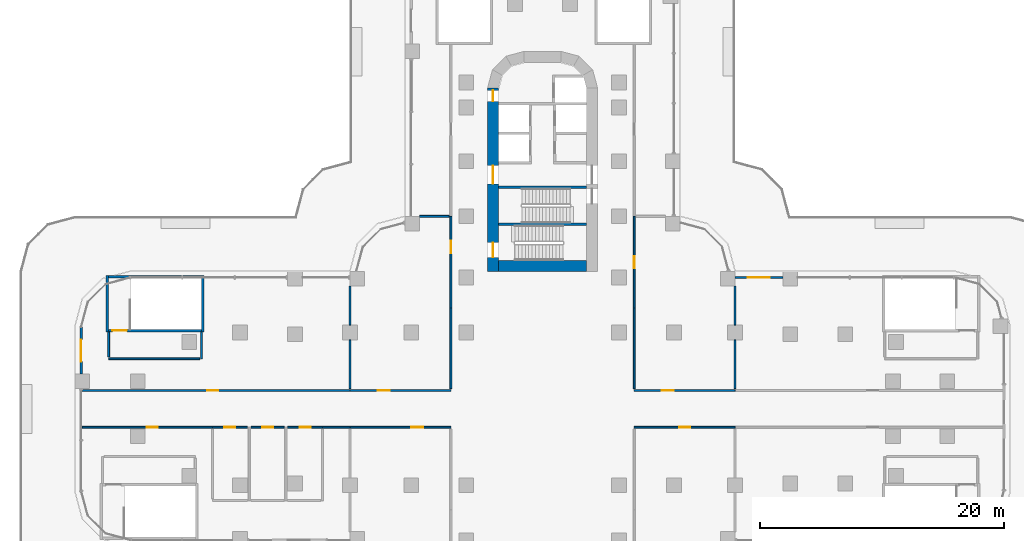
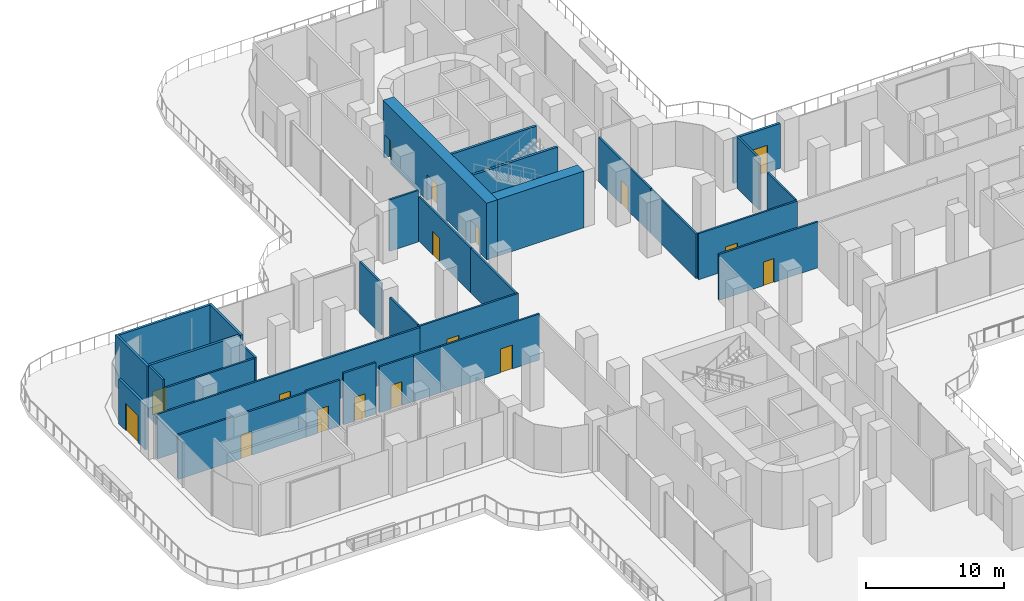
# One storey, part 15 of 21: 32 walls, 17 doors, 17 openings.
"""IFC4 building model written with IfcOpenShell, lengths in metres."""

from ifc_helpers import new_model, si_unit, direction, frame, frame_2d, origin, place, context, subcontext, project, spatial, rectangle, extrude, material, layer, layer_set, type_object, element, fill, save


model = new_model("IFC4")

# Units and contexts
model_context = context("Model", 3, precision=1e-05, world=origin(), true_north=direction((0.0, 1.0)))
body_context = subcontext(model_context, "Body", "Model", "MODEL_VIEW")
ifc_project = project(units=[si_unit("LENGTHUNIT", "METRE"), si_unit("AREAUNIT", "SQUARE_METRE"), si_unit("VOLUMEUNIT", "CUBIC_METRE"), si_unit("PLANEANGLEUNIT", "RADIAN"), si_unit("MASSUNIT", "GRAM", prefix="KILO")], contexts=[model_context])

# Site, building, storey
site_placement = place(None, origin())
site = spatial("IfcSite", under=ifc_project, at=site_placement, CompositionType="ELEMENT")
building_placement = place(site_placement, origin())
building = spatial("IfcBuilding", under=site, at=building_placement, Name="Zarbagh Exchange Tower", CompositionType="ELEMENT")
storey_placement = place(building_placement, frame((0.0, 0.0, 22.0)))
storey = spatial("IfcBuildingStorey", under=building, at=storey_placement, Name="L04", CompositionType="ELEMENT", Elevation=22.0)

# Walls
ifc_material_1 = material(Name="Plasterboard partition")
ifc_layer_1 = layer(ifc_material_1, 0.14990234375)
ifc_layer_set_1 = layer_set([ifc_layer_1], Name="Board partition 150")
wall_type_1 = type_object("IfcWallType", Name="Board partition 150", PredefinedType="PARTITIONING", material=ifc_layer_set_1)
wall_1_placement = place(storey_placement, frame((-27.89990234375, 6.300048828125, 0.0), z_axis=(0.0, 0.0, 1.0), x_axis=(0.0, -1.0, 0.0)))
element("IfcWall", 1, at=wall_1_placement, inside=storey, type_object=wall_type_1, Name="WL-L04-W009", PredefinedType="PARTITIONING", context=body_context, shape_type="SweptSolid", body=[
    extrude(rectangle(XDim=2.199951171875, YDim=0.14990234375, at=frame_2d((1.10009765625, 0.0))), origin(), (0.0, 0.0, 1.0), 3.929931640625),
])
wall_2_placement = place(storey_placement, frame((-28.050048828125, 4.10009765625, 0.0), z_axis=(0.0, 0.0, 1.0), x_axis=(-1.0, 0.0, 0.0)))
element("IfcWall", 2, at=wall_2_placement, inside=storey, type_object=wall_type_1, Name="WL-L04-W010", PredefinedType="PARTITIONING", context=body_context, shape_type="SweptSolid", body=[
    extrude(rectangle(XDim=7.449951171875, YDim=0.14990234375, at=frame_2d((3.72509765625, 0.0))), origin(), (0.0, 0.0, 1.0), 3.929931640625),
])
wall_3_placement = place(storey_placement, frame((-35.5, 4.25, 0.0), z_axis=(0.0, 0.0, 1.0), x_axis=(0.0, 1.0, 0.0)))
element("IfcWall", 3, at=wall_3_placement, inside=storey, type_object=wall_type_1, Name="WL-L04-W011", PredefinedType="PARTITIONING", context=body_context, shape_type="SweptSolid", body=[
    extrude(rectangle(XDim=2.050048828125, YDim=0.14990234375, at=frame_2d((1.02490234375, 0.0))), origin(), (0.0, 0.0, 1.0), 4.550048828125),
])

# Wall, opening, door
wall_4_placement = place(storey_placement, frame((-24.14990234375, -1.5, 0.0), z_axis=(0.0, 0.0, 1.0), x_axis=(-1.0, 0.0, 0.0)))
wall_4 = element("IfcWall", 4, at=wall_4_placement, inside=storey, type_object=wall_type_1, Name="WL-L04-W016", PredefinedType="PARTITIONING", context=body_context, shape_type="SweptSolid", body=[
    extrude(rectangle(XDim=2.85009765625, YDim=0.14990234375, at=frame_2d((1.425048828125, 0.0))), origin(), (0.0, 0.0, 1.0), 4.06298828125),
])
opening_1_placement = place(wall_4_placement, frame((0.97509765625, 0.0, 0.0)))
opening_1 = element("IfcOpeningElement", 5, at=opening_1_placement, cuts=wall_4, Name="Opening D28", PredefinedType="OPENING", context=body_context, shape_type="SweptSolid", body=[
    extrude(rectangle(XDim=0.89990234375, YDim=2.10009765625, at=frame_2d((0.449951171875, 1.050048828125))), frame((0.0, 0.0849609375, 0.0), z_axis=(0.0, -1.0, 0.0), x_axis=(1.0, 0.0, 0.0)), (0.0, 0.0, 1.0), 0.169921875),
])
ifc_material_2 = material(Name="Timber door leaf", Category="wood")
door_type_1 = type_object("IfcDoorType", Name="Door single 900x2100", OperationType="SINGLE_SWING_LEFT", PredefinedType="DOOR", material=ifc_material_2)
door_1_placement = place(opening_1_placement, origin())
door_1 = element("IfcDoor", 6, at=door_1_placement, inside=storey, type_object=door_type_1, Name="D01", OperationType="SINGLE_SWING_LEFT", OverallHeight=2.10009765625, OverallWidth=0.89990234375, PredefinedType="DOOR", context=body_context, shape_type="SweptSolid", body=[
    extrude(rectangle(XDim=0.89990234375, YDim=2.10009765625, at=frame_2d((0.449951171875, 1.050048828125))), frame((0.0, 0.02490234375, 0.0), z_axis=(0.0, -1.0, 0.0), x_axis=(1.0, 0.0, 0.0)), (0.0, 0.0, 1.0), 0.050048828125),
])
fill(opening_1, door_1)

wall_5_placement = place(storey_placement, frame((-21.14990234375, -1.5, 0.0), z_axis=(0.0, 0.0, 1.0), x_axis=(-1.0, 0.0, 0.0)))
wall_5 = element("IfcWall", 7, at=wall_5_placement, inside=storey, type_object=wall_type_1, Name="WL-L04-W020", PredefinedType="PARTITIONING", context=body_context, shape_type="SweptSolid", body=[
    extrude(rectangle(XDim=2.7001953125, YDim=0.14990234375, at=frame_2d((1.35009765625, 0.0))), origin(), (0.0, 0.0, 1.0), 4.550048828125),
])
opening_2_placement = place(wall_5_placement, frame((0.89990234375, 0.0, 0.0)))
opening_2 = element("IfcOpeningElement", 8, at=opening_2_placement, cuts=wall_5, Name="Opening D32", PredefinedType="OPENING", context=body_context, shape_type="SweptSolid", body=[
    extrude(rectangle(XDim=0.89990234375, YDim=2.10009765625, at=frame_2d((0.449951171875, 1.050048828125))), frame((0.0, 0.0849609375, 0.0), z_axis=(0.0, -1.0, 0.0), x_axis=(1.0, 0.0, 0.0)), (0.0, 0.0, 1.0), 0.169921875),
])
door_2_placement = place(opening_2_placement, origin())
door_2 = element("IfcDoor", 9, at=door_2_placement, inside=storey, type_object=door_type_1, Name="D02", OperationType="SINGLE_SWING_LEFT", OverallHeight=2.10009765625, OverallWidth=0.89990234375, PredefinedType="DOOR", context=body_context, shape_type="SweptSolid", body=[
    extrude(rectangle(XDim=0.89990234375, YDim=2.10009765625, at=frame_2d((0.449951171875, 1.050048828125))), frame((0.0, 0.02490234375, 0.0), z_axis=(0.0, -1.0, 0.0), x_axis=(1.0, 0.0, 0.0)), (0.0, 0.0, 1.0), 0.050048828125),
])
fill(opening_2, door_2)

wall_6_placement = place(storey_placement, frame((-18.0, -1.5, 0.0), z_axis=(0.0, 0.0, 1.0), x_axis=(-1.0, 0.0, 0.0)))
wall_6 = element("IfcWall", 10, at=wall_6_placement, inside=storey, type_object=wall_type_1, Name="WL-L04-W022", PredefinedType="PARTITIONING", context=body_context, shape_type="SweptSolid", body=[
    extrude(rectangle(XDim=2.85009765625, YDim=0.14990234375, at=frame_2d((1.425048828125, 0.0))), origin(), (0.0, 0.0, 1.0), 4.06298828125),
])
opening_3_placement = place(wall_6_placement, frame((0.97509765625, 0.0, 0.0)))
opening_3 = element("IfcOpeningElement", 11, at=opening_3_placement, cuts=wall_6, Name="Opening D34", PredefinedType="OPENING", context=body_context, shape_type="SweptSolid", body=[
    extrude(rectangle(XDim=0.89990234375, YDim=2.10009765625, at=frame_2d((0.449951171875, 1.050048828125))), frame((0.0, 0.0849609375, 0.0), z_axis=(0.0, -1.0, 0.0), x_axis=(1.0, 0.0, 0.0)), (0.0, 0.0, 1.0), 0.169921875),
])
door_3_placement = place(opening_3_placement, origin())
door_3 = element("IfcDoor", 12, at=door_3_placement, inside=storey, type_object=door_type_1, Name="D03", OperationType="SINGLE_SWING_LEFT", OverallHeight=2.10009765625, OverallWidth=0.89990234375, PredefinedType="DOOR", context=body_context, shape_type="SweptSolid", body=[
    extrude(rectangle(XDim=0.89990234375, YDim=2.10009765625, at=frame_2d((0.449951171875, 1.050048828125))), frame((0.0, 0.02490234375, 0.0), z_axis=(0.0, -1.0, 0.0), x_axis=(1.0, 0.0, 0.0)), (0.0, 0.0, 1.0), 0.050048828125),
])
fill(opening_3, door_3)

wall_7_placement = place(storey_placement, frame((7.5, 15.75, 0.0), z_axis=(0.0, 0.0, 1.0), x_axis=(0.0, -1.0, 0.0)))
wall_7 = element("IfcWall", 13, at=wall_7_placement, inside=storey, type_object=wall_type_1, Name="WL-L04-W025", PredefinedType="PARTITIONING", context=body_context, shape_type="SweptSolid", body=[
    extrude(rectangle(XDim=7.5, YDim=0.14990234375, at=frame_2d((3.75, 0.0))), origin(), (0.0, 0.0, 1.0), 3.929931640625),
])
opening_4_placement = place(wall_7_placement, frame((3.25, 0.0, 0.0)))
opening_4 = element("IfcOpeningElement", 14, at=opening_4_placement, cuts=wall_7, Name="Opening D38", PredefinedType="OPENING", context=body_context, shape_type="SweptSolid", body=[
    extrude(rectangle(XDim=1.0, YDim=2.10009765625, at=frame_2d((0.5, 1.050048828125))), frame((0.0, 0.0849609375, 0.0), z_axis=(0.0, -1.0, 0.0), x_axis=(1.0, 0.0, 0.0)), (0.0, 0.0, 1.0), 0.169921875),
])
door_type_2 = type_object("IfcDoorType", Name="Door single 1000x2100", OperationType="SINGLE_SWING_LEFT", PredefinedType="DOOR", material=ifc_material_2)
door_4_placement = place(opening_4_placement, origin())
door_4 = element("IfcDoor", 15, at=door_4_placement, inside=storey, type_object=door_type_2, Name="D04", OperationType="SINGLE_SWING_LEFT", OverallHeight=2.10009765625, OverallWidth=1.0, PredefinedType="DOOR", context=body_context, shape_type="SweptSolid", body=[
    extrude(rectangle(XDim=1.0, YDim=2.10009765625, at=frame_2d((0.5, 1.050048828125))), frame((0.0, 0.02490234375, 0.0), z_axis=(0.0, -1.0, 0.0), x_axis=(1.0, 0.0, 0.0)), (0.0, 0.0, 1.0), 0.050048828125),
])
fill(opening_4, door_4)

wall_8_placement = place(storey_placement, frame((-7.5, 8.25, 0.0), z_axis=(0.0, 0.0, 1.0), x_axis=(0.0, 1.0, 0.0)))
wall_8 = element("IfcWall", 16, at=wall_8_placement, inside=storey, type_object=wall_type_1, Name="WL-L04-W027", PredefinedType="PARTITIONING", context=body_context, shape_type="SweptSolid", body=[
    extrude(rectangle(XDim=7.5, YDim=0.14990234375, at=frame_2d((3.75, 0.0))), origin(), (0.0, 0.0, 1.0), 3.929931640625),
])
opening_5_placement = place(wall_8_placement, frame((4.5, 0.0, 0.0)))
opening_5 = element("IfcOpeningElement", 17, at=opening_5_placement, cuts=wall_8, Name="Opening D43", PredefinedType="OPENING", context=body_context, shape_type="SweptSolid", body=[
    extrude(rectangle(XDim=1.0, YDim=2.10009765625, at=frame_2d((0.5, 1.050048828125))), frame((0.0, 0.0849609375, 0.0), z_axis=(0.0, -1.0, 0.0), x_axis=(1.0, 0.0, 0.0)), (0.0, 0.0, 1.0), 0.169921875),
])
door_5_placement = place(opening_5_placement, origin())
door_5 = element("IfcDoor", 18, at=door_5_placement, inside=storey, type_object=door_type_2, Name="D06", OperationType="SINGLE_SWING_LEFT", OverallHeight=2.10009765625, OverallWidth=1.0, PredefinedType="DOOR", context=body_context, shape_type="SweptSolid", body=[
    extrude(rectangle(XDim=1.0, YDim=2.10009765625, at=frame_2d((0.5, 1.050048828125))), frame((0.0, 0.02490234375, 0.0), z_axis=(0.0, -1.0, 0.0), x_axis=(1.0, 0.0, 0.0)), (0.0, 0.0, 1.0), 0.050048828125),
])
fill(opening_5, door_5)

wall_9_placement = place(storey_placement, frame((7.5, 1.5, 0.0), z_axis=(0.0, 0.0, 1.0), x_axis=(1.0, 0.0, 0.0)))
wall_9 = element("IfcWall", 19, at=wall_9_placement, inside=storey, type_object=wall_type_1, Name="WL-L04-W033", PredefinedType="PARTITIONING", context=body_context, shape_type="SweptSolid", body=[
    extrude(rectangle(XDim=8.25, YDim=0.14990234375, at=frame_2d((4.125, 0.0))), origin(), (0.0, 0.0, 1.0), 4.06298828125),
])
opening_6_placement = place(wall_9_placement, frame((2.25, 0.0, 0.0)))
opening_6 = element("IfcOpeningElement", 20, at=opening_6_placement, cuts=wall_9, Name="Opening D55", PredefinedType="OPENING", context=body_context, shape_type="SweptSolid", body=[
    extrude(rectangle(XDim=1.0, YDim=2.10009765625, at=frame_2d((0.5, 1.050048828125))), frame((0.0, 0.0849609375, 0.0), z_axis=(0.0, -1.0, 0.0), x_axis=(1.0, 0.0, 0.0)), (0.0, 0.0, 1.0), 0.169921875),
])
door_6_placement = place(opening_6_placement, origin())
door_6 = element("IfcDoor", 21, at=door_6_placement, inside=storey, type_object=door_type_2, Name="D11", OperationType="SINGLE_SWING_LEFT", OverallHeight=2.10009765625, OverallWidth=1.0, PredefinedType="DOOR", context=body_context, shape_type="SweptSolid", body=[
    extrude(rectangle(XDim=1.0, YDim=2.10009765625, at=frame_2d((0.5, 1.050048828125))), frame((0.0, 0.02490234375, 0.0), z_axis=(0.0, -1.0, 0.0), x_axis=(1.0, 0.0, 0.0)), (0.0, 0.0, 1.0), 0.050048828125),
])
fill(opening_6, door_6)

wall_10_placement = place(storey_placement, frame((15.75, -1.5, 0.0), z_axis=(0.0, 0.0, 1.0), x_axis=(-1.0, 0.0, 0.0)))
wall_10 = element("IfcWall", 22, at=wall_10_placement, inside=storey, type_object=wall_type_1, Name="WL-L04-W035", PredefinedType="PARTITIONING", context=body_context, shape_type="SweptSolid", body=[
    extrude(rectangle(XDim=8.25, YDim=0.14990234375, at=frame_2d((4.125, 0.0))), origin(), (0.0, 0.0, 1.0), 4.06298828125),
])
opening_7_placement = place(wall_10_placement, frame((3.675048828125, 0.0, 0.0)))
opening_7 = element("IfcOpeningElement", 23, at=opening_7_placement, cuts=wall_10, Name="Opening D13", PredefinedType="OPENING", context=body_context, shape_type="SweptSolid", body=[
    extrude(rectangle(XDim=0.89990234375, YDim=2.10009765625, at=frame_2d((0.449951171875, 1.050048828125))), frame((0.0, 0.0849609375, 0.0), z_axis=(0.0, -1.0, 0.0), x_axis=(1.0, 0.0, 0.0)), (0.0, 0.0, 1.0), 0.169921875),
])
door_7_placement = place(opening_7_placement, origin())
door_7 = element("IfcDoor", 24, at=door_7_placement, inside=storey, type_object=door_type_1, Name="D13", OperationType="SINGLE_SWING_LEFT", OverallHeight=2.10009765625, OverallWidth=0.89990234375, PredefinedType="DOOR", context=body_context, shape_type="SweptSolid", body=[
    extrude(rectangle(XDim=0.89990234375, YDim=2.10009765625, at=frame_2d((0.449951171875, 1.050048828125))), frame((0.0, 0.02490234375, 0.0), z_axis=(0.0, -1.0, 0.0), x_axis=(1.0, 0.0, 0.0)), (0.0, 0.0, 1.0), 0.050048828125),
])
fill(opening_7, door_7)

wall_11_placement = place(storey_placement, frame((-15.75, 1.5, 0.0), z_axis=(0.0, 0.0, 1.0), x_axis=(1.0, 0.0, 0.0)))
wall_11 = element("IfcWall", 25, at=wall_11_placement, inside=storey, type_object=wall_type_1, Name="WL-L04-W037", PredefinedType="PARTITIONING", context=body_context, shape_type="SweptSolid", body=[
    extrude(rectangle(XDim=8.25, YDim=0.14990234375, at=frame_2d((4.125, 0.0))), origin(), (0.0, 0.0, 1.0), 4.06298828125),
])
opening_8_placement = place(wall_11_placement, frame((2.25, 0.0, 0.0)))
opening_8 = element("IfcOpeningElement", 26, at=opening_8_placement, cuts=wall_11, Name="Opening D60", PredefinedType="OPENING", context=body_context, shape_type="SweptSolid", body=[
    extrude(rectangle(XDim=1.0, YDim=2.10009765625, at=frame_2d((0.5, 1.050048828125))), frame((0.0, 0.0849609375, 0.0), z_axis=(0.0, -1.0, 0.0), x_axis=(1.0, 0.0, 0.0)), (0.0, 0.0, 1.0), 0.169921875),
])
door_8_placement = place(opening_8_placement, origin())
door_8 = element("IfcDoor", 27, at=door_8_placement, inside=storey, type_object=door_type_2, Name="D15", OperationType="SINGLE_SWING_LEFT", OverallHeight=2.10009765625, OverallWidth=1.0, PredefinedType="DOOR", context=body_context, shape_type="SweptSolid", body=[
    extrude(rectangle(XDim=1.0, YDim=2.10009765625, at=frame_2d((0.5, 1.050048828125))), frame((0.0, 0.02490234375, 0.0), z_axis=(0.0, -1.0, 0.0), x_axis=(1.0, 0.0, 0.0)), (0.0, 0.0, 1.0), 0.050048828125),
])
fill(opening_8, door_8)

wall_12_placement = place(storey_placement, frame((-37.64990234375, 1.5, 0.0), z_axis=(0.0, 0.0, 1.0), x_axis=(1.0, 0.0, 0.0)))
wall_12 = element("IfcWall", 28, at=wall_12_placement, inside=storey, type_object=wall_type_1, Name="WL-L04-W038", PredefinedType="PARTITIONING", context=body_context, shape_type="SweptSolid", body=[
    extrude(rectangle(XDim=21.89990234375, YDim=0.14990234375, at=frame_2d((10.949951171875, 0.0))), origin(), (0.0, 0.0, 1.0), 3.929931640625),
])
opening_9_placement = place(wall_12_placement, frame((10.199951171875, 0.0, 0.0)))
opening_9 = element("IfcOpeningElement", 29, at=opening_9_placement, cuts=wall_12, Name="Opening D16", PredefinedType="OPENING", context=body_context, shape_type="SweptSolid", body=[
    extrude(rectangle(XDim=0.89990234375, YDim=2.10009765625, at=frame_2d((0.449951171875, 1.050048828125))), frame((0.0, 0.0849609375, 0.0), z_axis=(0.0, -1.0, 0.0), x_axis=(1.0, 0.0, 0.0)), (0.0, 0.0, 1.0), 0.169921875),
])
door_9_placement = place(opening_9_placement, origin())
door_9 = element("IfcDoor", 30, at=door_9_placement, inside=storey, type_object=door_type_1, Name="D16", OperationType="SINGLE_SWING_LEFT", OverallHeight=2.10009765625, OverallWidth=0.89990234375, PredefinedType="DOOR", context=body_context, shape_type="SweptSolid", body=[
    extrude(rectangle(XDim=0.89990234375, YDim=2.10009765625, at=frame_2d((0.449951171875, 1.050048828125))), frame((0.0, 0.02490234375, 0.0), z_axis=(0.0, -1.0, 0.0), x_axis=(1.0, 0.0, 0.0)), (0.0, 0.0, 1.0), 0.050048828125),
])
fill(opening_9, door_9)

wall_13_placement = place(storey_placement, frame((-7.5, -1.5, 0.0), z_axis=(0.0, 0.0, 1.0), x_axis=(-1.0, 0.0, 0.0)))
wall_13 = element("IfcWall", 31, at=wall_13_placement, inside=storey, type_object=wall_type_1, Name="WL-L04-W039", PredefinedType="PARTITIONING", context=body_context, shape_type="SweptSolid", body=[
    extrude(rectangle(XDim=8.25, YDim=0.14990234375, at=frame_2d((4.125, 0.0))), origin(), (0.0, 0.0, 1.0), 4.06298828125),
])
opening_10_placement = place(wall_13_placement, frame((2.25, 0.0, 0.0)))
opening_10 = element("IfcOpeningElement", 32, at=opening_10_placement, cuts=wall_13, Name="Opening D62", PredefinedType="OPENING", context=body_context, shape_type="SweptSolid", body=[
    extrude(rectangle(XDim=1.0, YDim=2.10009765625, at=frame_2d((0.5, 1.050048828125))), frame((0.0, 0.0849609375, 0.0), z_axis=(0.0, -1.0, 0.0), x_axis=(1.0, 0.0, 0.0)), (0.0, 0.0, 1.0), 0.169921875),
])
door_10_placement = place(opening_10_placement, origin())
door_10 = element("IfcDoor", 33, at=door_10_placement, inside=storey, type_object=door_type_2, Name="D17", OperationType="SINGLE_SWING_LEFT", OverallHeight=2.10009765625, OverallWidth=1.0, PredefinedType="DOOR", context=body_context, shape_type="SweptSolid", body=[
    extrude(rectangle(XDim=1.0, YDim=2.10009765625, at=frame_2d((0.5, 1.050048828125))), frame((0.0, 0.02490234375, 0.0), z_axis=(0.0, -1.0, 0.0), x_axis=(1.0, 0.0, 0.0)), (0.0, 0.0, 1.0), 0.050048828125),
])
fill(opening_10, door_10)

wall_14_placement = place(storey_placement, frame((-27.0, -1.5, 0.0), z_axis=(0.0, 0.0, 1.0), x_axis=(-1.0, 0.0, 0.0)))
wall_14 = element("IfcWall", 34, at=wall_14_placement, inside=storey, type_object=wall_type_1, Name="WL-L04-W040", PredefinedType="PARTITIONING", context=body_context, shape_type="SweptSolid", body=[
    extrude(rectangle(XDim=10.64990234375, YDim=0.14990234375, at=frame_2d((5.324951171875, 0.0))), origin(), (0.0, 0.0, 1.0), 3.929931640625),
])
opening_11_placement = place(wall_14_placement, frame((4.5, 0.0, 0.0)))
opening_11 = element("IfcOpeningElement", 35, at=opening_11_placement, cuts=wall_14, Name="Opening D18", PredefinedType="OPENING", context=body_context, shape_type="SweptSolid", body=[
    extrude(rectangle(XDim=0.89990234375, YDim=2.10009765625, at=frame_2d((0.449951171875, 1.050048828125))), frame((0.0, 0.0849609375, 0.0), z_axis=(0.0, -1.0, 0.0), x_axis=(1.0, 0.0, 0.0)), (0.0, 0.0, 1.0), 0.169921875),
])
door_11_placement = place(opening_11_placement, origin())
door_11 = element("IfcDoor", 36, at=door_11_placement, inside=storey, type_object=door_type_1, Name="D18", OperationType="SINGLE_SWING_LEFT", OverallHeight=2.10009765625, OverallWidth=0.89990234375, PredefinedType="DOOR", context=body_context, shape_type="SweptSolid", body=[
    extrude(rectangle(XDim=0.89990234375, YDim=2.10009765625, at=frame_2d((0.449951171875, 1.050048828125))), frame((0.0, 0.02490234375, 0.0), z_axis=(0.0, -1.0, 0.0), x_axis=(1.0, 0.0, 0.0)), (0.0, 0.0, 1.0), 0.050048828125),
])
fill(opening_11, door_11)

# Walls
wall_15_placement = place(storey_placement, frame((-15.75, -1.5, 0.0), z_axis=(0.0, 0.0, 1.0), x_axis=(-1.0, 0.0, 0.0)))
element("IfcWall", 37, at=wall_15_placement, inside=storey, type_object=wall_type_1, Name="WL-L04-W041", PredefinedType="PARTITIONING", context=body_context, shape_type="SweptSolid", body=[
    extrude(rectangle(XDim=2.25, YDim=0.14990234375, at=frame_2d((1.125, 0.0))), origin(), (0.0, 0.0, 1.0), 4.06298828125),
])
wall_16_placement = place(storey_placement, frame((15.75, 10.050048828125, 0.0), z_axis=(0.0, 0.0, 1.0), x_axis=(0.0, -1.0, 0.0)))
element("IfcWall", 38, at=wall_16_placement, inside=storey, type_object=wall_type_1, Name="WL-L04-W044", PredefinedType="PARTITIONING", context=body_context, shape_type="SweptSolid", body=[
    extrude(rectangle(XDim=3.199951171875, YDim=0.14990234375, at=frame_2d((1.60009765625, 0.0))), origin(), (0.0, 0.0, 1.0), 4.550048828125),
])
wall_17_placement = place(storey_placement, frame((15.75, 5.64990234375, 0.0), z_axis=(0.0, 0.0, 1.0), x_axis=(0.0, -1.0, 0.0)))
element("IfcWall", 39, at=wall_17_placement, inside=storey, type_object=wall_type_1, Name="WL-L04-W045", PredefinedType="PARTITIONING", context=body_context, shape_type="SweptSolid", body=[
    extrude(rectangle(XDim=4.0, YDim=0.14990234375, at=frame_2d((2.0, 0.0))), origin(), (0.0, 0.0, 1.0), 4.06298828125),
])
wall_18_placement = place(storey_placement, frame((7.5, 1.64990234375, 0.0), z_axis=(0.0, 0.0, 1.0), x_axis=(0.0, 1.0, 0.0)))
element("IfcWall", 40, at=wall_18_placement, inside=storey, type_object=wall_type_1, Name="WL-L04-W047", PredefinedType="PARTITIONING", context=body_context, shape_type="SweptSolid", body=[
    extrude(rectangle(XDim=6.60009765625, YDim=0.14990234375, at=frame_2d((3.300048828125, 0.0))), origin(), (0.0, 0.0, 1.0), 3.91064453125),
])
wall_19_placement = place(storey_placement, frame((-15.75, 1.64990234375, 0.0), z_axis=(0.0, 0.0, 1.0), x_axis=(0.0, 1.0, 0.0)))
element("IfcWall", 41, at=wall_19_placement, inside=storey, type_object=wall_type_1, Name="WL-L04-W048", PredefinedType="PARTITIONING", context=body_context, shape_type="SweptSolid", body=[
    extrude(rectangle(XDim=4.0, YDim=0.14990234375, at=frame_2d((2.0, 0.0))), origin(), (0.0, 0.0, 1.0), 4.06298828125),
])
wall_20_placement = place(storey_placement, frame((-15.75, 6.85009765625, 0.0), z_axis=(0.0, 0.0, 1.0), x_axis=(0.0, 1.0, 0.0)))
element("IfcWall", 42, at=wall_20_placement, inside=storey, type_object=wall_type_1, Name="WL-L04-W049", PredefinedType="PARTITIONING", context=body_context, shape_type="SweptSolid", body=[
    extrude(rectangle(XDim=3.199951171875, YDim=0.14990234375, at=frame_2d((1.60009765625, 0.0))), origin(), (0.0, 0.0, 1.0), 4.550048828125),
])
wall_21_placement = place(storey_placement, frame((-10.050048828125, 15.75, 0.0), z_axis=(0.0, 0.0, 1.0), x_axis=(1.0, 0.0, 0.0)))
element("IfcWall", 43, at=wall_21_placement, inside=storey, type_object=wall_type_1, Name="WL-L04-W050", PredefinedType="PARTITIONING", context=body_context, shape_type="SweptSolid", body=[
    extrude(rectangle(XDim=2.400146484375, YDim=0.14990234375, at=frame_2d((1.2001953125, 0.0))), origin(), (0.0, 0.0, 1.0), 4.550048828125),
])
wall_22_placement = place(storey_placement, frame((-7.5, 8.25, 0.0), z_axis=(0.0, 0.0, 1.0), x_axis=(0.0, -1.0, 0.0)))
element("IfcWall", 44, at=wall_22_placement, inside=storey, type_object=wall_type_1, Name="WL-L04-W051", PredefinedType="PARTITIONING", context=body_context, shape_type="SweptSolid", body=[
    extrude(rectangle(XDim=6.60009765625, YDim=0.14990234375, at=frame_2d((3.300048828125, 0.0))), origin(), (0.0, 0.0, 1.0), 3.91064453125),
])

# Wall, openings, doors
ifc_material_3 = material(Name="Concrete C60/75", Category="concrete")
ifc_layer_2 = layer(ifc_material_3, 0.89990234375)
ifc_layer_set_2 = layer_set([ifc_layer_2], Name="RC core wall 900 C60/75")
wall_type_2 = type_object("IfcWallType", Name="RC core wall 900 C60/75", PredefinedType="SHEAR", material=ifc_layer_set_2)
wall_23_placement = place(storey_placement, frame((-4.050048828125, 11.25, 0.0), z_axis=(0.0, 0.0, 1.0), x_axis=(0.0, 1.0, 0.0)))
wall_23 = element("IfcWall", 45, at=wall_23_placement, inside=storey, type_object=wall_type_2, Name="CW1 core N W", PredefinedType="SHEAR", context=body_context, shape_type="SweptSolid", body=[
    extrude(rectangle(XDim=15.0, YDim=0.89990234375, at=frame_2d((7.5, 0.0))), origin(), (0.0, 0.0, 1.0), 5.0),
])
opening_12_placement = place(wall_23_placement, frame((7.14990234375, 0.0, 0.0)))
opening_12 = element("IfcOpeningElement", 46, at=opening_12_placement, cuts=wall_23, Name="Opening CD1-1500", PredefinedType="OPENING", context=body_context, shape_type="SweptSolid", body=[
    extrude(rectangle(XDim=1.5, YDim=2.300048828125, at=frame_2d((0.75, 1.14990234375))), frame((0.0, 0.4599609375, 0.0), z_axis=(0.0, -1.0, 0.0), x_axis=(1.0, 0.0, 0.0)), (0.0, 0.0, 1.0), 0.919921875),
])
opening_13_placement = place(wall_23_placement, frame((13.89990234375, 0.0, 0.0)))
opening_13 = element("IfcOpeningElement", 47, at=opening_13_placement, cuts=wall_23, Name="Opening CD2-900", PredefinedType="OPENING", context=body_context, shape_type="SweptSolid", body=[
    extrude(rectangle(XDim=0.89990234375, YDim=2.10009765625, at=frame_2d((0.449951171875, 1.050048828125))), frame((0.0, 0.4599609375, 0.0), z_axis=(0.0, -1.0, 0.0), x_axis=(1.0, 0.0, 0.0)), (0.0, 0.0, 1.0), 0.919921875),
])
opening_14_placement = place(wall_23_placement, frame((1.14990234375, 0.0, 0.0)))
opening_14 = element("IfcOpeningElement", 48, at=opening_14_placement, cuts=wall_23, Name="Opening SD1-1200", PredefinedType="OPENING", context=body_context, shape_type="SweptSolid", body=[
    extrude(rectangle(XDim=1.199951171875, YDim=2.10009765625, at=frame_2d((0.60009765625, 1.050048828125))), frame((0.0, 0.4599609375, 0.0), z_axis=(0.0, -1.0, 0.0), x_axis=(1.0, 0.0, 0.0)), (0.0, 0.0, 1.0), 0.919921875),
])
ifc_material_4 = material(Name="Steel", Category="steel")
door_type_3 = type_object("IfcDoorType", Name="Exit stair door 1200 x 2100", OperationType="NOTDEFINED", PredefinedType="DOOR", material=ifc_material_4)
door_12_placement = place(opening_14_placement, origin())
door_12 = element("IfcDoor", 49, at=door_12_placement, inside=storey, type_object=door_type_3, Name="North core stair door ST2", OperationType="SINGLE_SWING_RIGHT", OverallHeight=2.10009765625, OverallWidth=1.199951171875, PredefinedType="DOOR", context=body_context, shape_type="SweptSolid", body=[
    extrude(rectangle(XDim=1.199951171875, YDim=2.10009765625, at=frame_2d((0.60009765625, 1.050048828125))), frame((0.0, 0.02490234375, 0.0), z_axis=(0.0, -1.0, 0.0), x_axis=(1.0, 0.0, 0.0)), (0.0, 0.0, 1.0), 0.050048828125),
])
fill(opening_14, door_12)
door_type_4 = type_object("IfcDoorType", Name="Firefighting lobby door 900 x 2100", OperationType="NOTDEFINED", PredefinedType="DOOR", material=ifc_material_4)
door_13_placement = place(opening_13_placement, origin())
door_13 = element("IfcDoor", 50, at=door_13_placement, inside=storey, type_object=door_type_4, Name="North core firefighting lobby door FF-W", OperationType="SINGLE_SWING_RIGHT", OverallHeight=2.10009765625, OverallWidth=0.89990234375, PredefinedType="DOOR", context=body_context, shape_type="SweptSolid", body=[
    extrude(rectangle(XDim=0.89990234375, YDim=2.10009765625, at=frame_2d((0.449951171875, 1.050048828125))), frame((0.0, 0.02490234375, 0.0), z_axis=(0.0, -1.0, 0.0), x_axis=(1.0, 0.0, 0.0)), (0.0, 0.0, 1.0), 0.050048828125),
])
fill(opening_13, door_13)
door_type_5 = type_object("IfcDoorType", Name="Lift lobby double door 1500 x 2300", OperationType="NOTDEFINED", PredefinedType="DOOR", material=ifc_material_4)
door_14_placement = place(opening_12_placement, origin())
door_14 = element("IfcDoor", 51, at=door_14_placement, inside=storey, type_object=door_type_5, Name="North core lift lobby door LOBBY-W", OperationType="DOUBLE_DOOR_SINGLE_SWING", OverallHeight=2.300048828125, OverallWidth=1.5, PredefinedType="DOOR", context=body_context, shape_type="SweptSolid", body=[
    extrude(rectangle(XDim=1.5, YDim=2.300048828125, at=frame_2d((0.75, 1.14990234375))), frame((0.0, 0.02490234375, 0.0), z_axis=(0.0, -1.0, 0.0), x_axis=(1.0, 0.0, 0.0)), (0.0, 0.0, 1.0), 0.050048828125),
])
fill(opening_12, door_14)

# Walls
wall_24_placement = place(storey_placement, frame((-3.60009765625, 11.699951171875, 0.0), z_axis=(0.0, 0.0, 1.0), x_axis=(1.0, 0.0, 0.0)))
element("IfcWall", 52, at=wall_24_placement, inside=storey, type_object=wall_type_2, Name="CW1 core N inner end", PredefinedType="SHEAR", context=body_context, shape_type="SweptSolid", body=[
    extrude(rectangle(XDim=7.2001953125, YDim=0.89990234375, at=frame_2d((3.60009765625, 0.0))), origin(), (0.0, 0.0, 1.0), 5.0),
])
ifc_material_5 = material(Name="Concrete C40/50", Category="concrete")
ifc_layer_3 = layer(ifc_material_5, 0.199951171875)
ifc_layer_set_3 = layer_set([ifc_layer_3], Name="Stair enclosure wall 200 mm RC C40/50")
wall_type_3 = type_object("IfcWallType", Name="Stair enclosure wall 200 mm RC C40/50", PredefinedType="SHEAR", material=ifc_layer_set_3)
for number, where, z_axis, x_axis, name in (
    (53, (-3.60009765625, 18.14990234375, 0.0), (0.0, 0.0, 1.0), (1.0, 0.0, 0.0), "North core stair wall BS"),
    (54, (-3.60009765625, 15.10009765625, 0.0), (0.0, 0.0, 1.0), (1.0, 0.0, 0.0), "North core stair wall ST12"),
):
    element("IfcWall", number, at=place(storey_placement, frame(where, z_axis=z_axis, x_axis=x_axis)), inside=storey, type_object=wall_type_3, Name=name, PredefinedType="SHEAR", context=body_context, shape_type="SweptSolid", body=[
        extrude(rectangle(XDim=7.2001953125, YDim=0.199951171875, at=frame_2d((3.60009765625, 0.0))), origin(), (0.0, 0.0, 1.0), 4.85009765625),
    ])
for number, where, z_axis, x_axis, name in (
    (55, (-35.60009765625, 6.300048828125, 0.0), (0.0, 0.0, 1.0), (0.0, 1.0, 0.0), "Exit stair PS5 enclosure wall W"),
    (56, (-27.800048828125, 6.300048828125, 0.0), (0.0, 0.0, 1.0), (0.0, 1.0, 0.0), "Exit stair PS5 enclosure wall E"),
):
    element("IfcWall", number, at=place(storey_placement, frame(where, z_axis=z_axis, x_axis=x_axis)), inside=storey, type_object=wall_type_3, Name=name, PredefinedType="SHEAR", context=body_context, shape_type="SweptSolid", body=[
        extrude(rectangle(XDim=4.599853515625, YDim=0.199951171875, at=frame_2d((2.2998046875, 0.0))), origin(), (0.0, 0.0, 1.0), 4.550048828125),
    ])

# Wall, opening, door
wall_25_placement = place(storey_placement, frame((-35.5, 6.39990234375, 0.0), z_axis=(0.0, 0.0, 1.0), x_axis=(1.0, 0.0, 0.0)))
wall_25 = element("IfcWall", 57, at=wall_25_placement, inside=storey, type_object=wall_type_3, Name="Exit stair PS5 enclosure wall S", PredefinedType="SHEAR", context=body_context, shape_type="SweptSolid", body=[
    extrude(rectangle(XDim=7.60009765625, YDim=0.199951171875, at=frame_2d((3.800048828125, 0.0))), origin(), (0.0, 0.0, 1.0), 4.550048828125),
])
opening_15_placement = place(wall_25_placement, frame((0.300048828125, 0.0, 0.0)))
opening_15 = element("IfcOpeningElement", 58, at=opening_15_placement, cuts=wall_25, Name="Opening SD1-1200", PredefinedType="OPENING", context=body_context, shape_type="SweptSolid", body=[
    extrude(rectangle(XDim=1.199951171875, YDim=2.10009765625, at=frame_2d((0.60009765625, 1.050048828125))), frame((0.0, 0.10986328125, 0.0), z_axis=(0.0, -1.0, 0.0), x_axis=(1.0, 0.0, 0.0)), (0.0, 0.0, 1.0), 0.219970703125),
])
door_15_placement = place(opening_15_placement, origin())
door_15 = element("IfcDoor", 59, at=door_15_placement, inside=storey, type_object=door_type_3, Name="Exit stair PS5 entry door", OperationType="SINGLE_SWING_RIGHT", OverallHeight=2.10009765625, OverallWidth=1.199951171875, PredefinedType="DOOR", context=body_context, shape_type="SweptSolid", body=[
    extrude(rectangle(XDim=1.199951171875, YDim=2.10009765625, at=frame_2d((0.60009765625, 1.050048828125))), frame((0.0, 0.02490234375, 0.0), z_axis=(0.0, -1.0, 0.0), x_axis=(1.0, 0.0, 0.0)), (0.0, 0.0, 1.0), 0.050048828125),
])
fill(opening_15, door_15)

# Wall
wall_26_placement = place(storey_placement, frame((-35.5, 10.800048828125, 0.0), z_axis=(0.0, 0.0, 1.0), x_axis=(1.0, 0.0, 0.0)))
element("IfcWall", 60, at=wall_26_placement, inside=storey, type_object=wall_type_3, Name="Exit stair PS5 enclosure wall N", PredefinedType="SHEAR", context=body_context, shape_type="SweptSolid", body=[
    extrude(rectangle(XDim=7.60009765625, YDim=0.199951171875, at=frame_2d((3.800048828125, 0.0))), origin(), (0.0, 0.0, 1.0), 4.550048828125),
])

# Wall, opening, door
ifc_material_6 = material(Name="Precast concrete C50/60", Category="concrete")
ifc_layer_4 = layer(ifc_material_6, 0.199951171875)
ifc_layer_set_4 = layer_set([ifc_layer_4], Name="Terrace door wall, precast concrete C50/60")
wall_type_4 = type_object("IfcWallType", Name="Terrace door wall, precast concrete C50/60", PredefinedType="SOLIDWALL", material=ifc_layer_set_4)
wall_27_placement = place(storey_placement, frame((19.64990234375, 10.75, 0.0), z_axis=(0.0, 0.0, 1.0), x_axis=(-1.0, 0.0, 0.0)))
wall_27 = element("IfcWall", 61, at=wall_27_placement, inside=storey, type_object=wall_type_4, Name="TW29 door wall", PredefinedType="SOLIDWALL", context=body_context, shape_type="SweptSolid", body=[
    extrude(rectangle(XDim=3.89990234375, YDim=0.199951171875, at=frame_2d((1.949951171875, 0.0))), origin(), (0.0, 0.0, 1.0), 3.949951171875),
])
opening_16_placement = place(wall_27_placement, frame((1.050048828125, 0.0, 0.0)))
opening_16 = element("IfcOpeningElement", 62, at=opening_16_placement, cuts=wall_27, Name="Opening TD03", PredefinedType="OPENING", context=body_context, shape_type="SweptSolid", body=[
    extrude(rectangle(XDim=1.800048828125, YDim=2.39990234375, at=frame_2d((0.89990234375, 1.199951171875))), frame((0.0, 0.10986328125, 0.0), z_axis=(0.0, -1.0, 0.0), x_axis=(1.0, 0.0, 0.0)), (0.0, 0.0, 1.0), 0.219970703125),
])
ifc_material_7 = material(Name="Anodised aluminium and glass", Category="aluminium")
door_type_6 = type_object("IfcDoorType", Name="Terrace door, double leaf, aluminium and glass", OperationType="DOUBLE_DOOR_DOUBLE_SWING", PredefinedType="DOOR", material=ifc_material_7)
door_16_placement = place(opening_16_placement, origin())
door_16 = element("IfcDoor", 63, at=door_16_placement, inside=storey, type_object=door_type_6, Name="TD03 terrace door", OperationType="SINGLE_SWING_LEFT", OverallHeight=2.39990234375, OverallWidth=1.800048828125, PredefinedType="DOOR", context=body_context, shape_type="SweptSolid", body=[
    extrude(rectangle(XDim=1.800048828125, YDim=2.39990234375, at=frame_2d((0.89990234375, 1.199951171875))), frame((0.0, 0.02490234375, 0.0), z_axis=(0.0, -1.0, 0.0), x_axis=(1.0, 0.0, 0.0)), (0.0, 0.0, 1.0), 0.050048828125),
])
fill(opening_16, door_16)

wall_28_placement = place(storey_placement, frame((-37.75, 6.68408203125, 0.0), z_axis=(0.0, 0.0, 1.0), x_axis=(0.0, -1.0, 0.0)))
wall_28 = element("IfcWall", 64, at=wall_28_placement, inside=storey, type_object=wall_type_4, Name="TW31 door wall", PredefinedType="SOLIDWALL", context=body_context, shape_type="SweptSolid", body=[
    extrude(rectangle(XDim=3.834228515625, YDim=0.199951171875, at=frame_2d((1.9169921875, 0.0))), origin(), (0.0, 0.0, 1.0), 3.949951171875),
])
opening_17_placement = place(wall_28_placement, frame((1.01708984375, 0.0, 0.0)))
opening_17 = element("IfcOpeningElement", 65, at=opening_17_placement, cuts=wall_28, Name="Opening TD03", PredefinedType="OPENING", context=body_context, shape_type="SweptSolid", body=[
    extrude(rectangle(XDim=1.800048828125, YDim=2.39990234375, at=frame_2d((0.89990234375, 1.199951171875))), frame((0.0, 0.10986328125, 0.0), z_axis=(0.0, -1.0, 0.0), x_axis=(1.0, 0.0, 0.0)), (0.0, 0.0, 1.0), 0.219970703125),
])
door_17_placement = place(opening_17_placement, origin())
door_17 = element("IfcDoor", 66, at=door_17_placement, inside=storey, type_object=door_type_6, Name="TD03 terrace door", OperationType="SINGLE_SWING_LEFT", OverallHeight=2.39990234375, OverallWidth=1.800048828125, PredefinedType="DOOR", context=body_context, shape_type="SweptSolid", body=[
    extrude(rectangle(XDim=1.800048828125, YDim=2.39990234375, at=frame_2d((0.89990234375, 1.199951171875))), frame((0.0, 0.02490234375, 0.0), z_axis=(0.0, -1.0, 0.0), x_axis=(1.0, 0.0, 0.0)), (0.0, 0.0, 1.0), 0.050048828125),
])
fill(opening_17, door_17)

save(model, "model.ifc")
